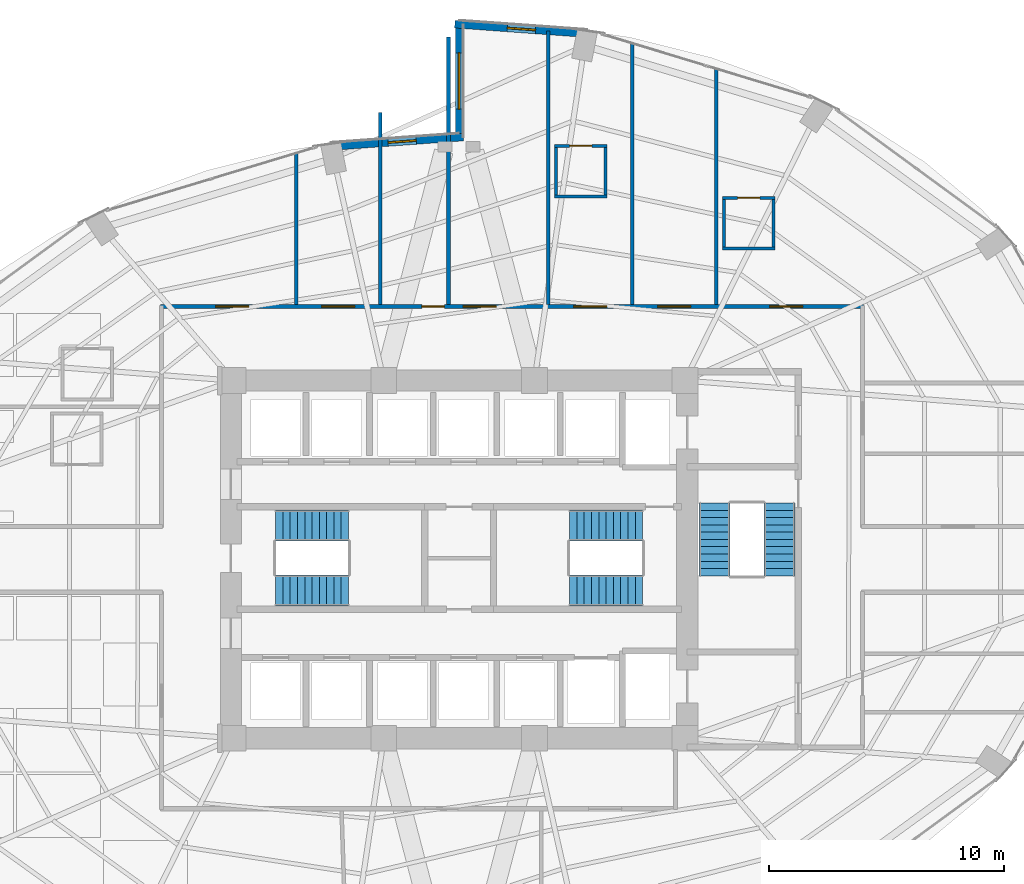
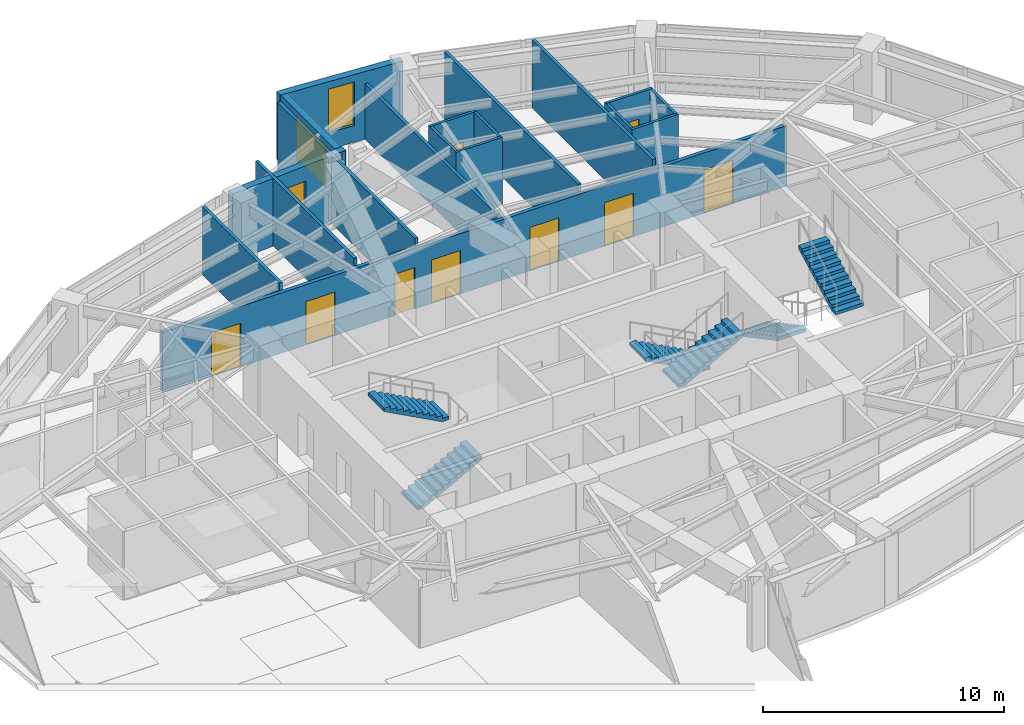
# One storey, part 22 of 24: 18 walls, 9 doors, 6 stair flights, 3 windows, 12 openings, 3 elements without a shape of their own.
"""IFC4 building model written with IfcOpenShell, lengths in metres."""

from ifc_helpers import new_model, si_unit, direction, frame, frame_2d, origin, place, context, subcontext, project, spatial, polyline, rectangle, outline, extrude, material, layer, layer_set, type_object, element, fill, aggregate, save


model = new_model("IFC4")

# Units and contexts
model_context = context("Model", 3, precision=1e-05, world=origin(), true_north=direction((0.0, 1.0)))
body_context = subcontext(model_context, "Body", "Model", "MODEL_VIEW")
ifc_project = project(units=[si_unit("LENGTHUNIT", "METRE"), si_unit("AREAUNIT", "SQUARE_METRE"), si_unit("VOLUMEUNIT", "CUBIC_METRE"), si_unit("PLANEANGLEUNIT", "RADIAN"), si_unit("MASSUNIT", "GRAM", prefix="KILO")], contexts=[model_context])

# Site, building, storey
site_placement = place(None, origin())
site = spatial("IfcSite", under=ifc_project, at=site_placement, CompositionType="ELEMENT")
building_placement = place(site_placement, origin())
building = spatial("IfcBuilding", under=site, at=building_placement, Name="Lazwardi Medical Tower", CompositionType="ELEMENT")
storey_placement = place(building_placement, frame((0.0, 0.0, 54.384033203125)))
storey = spatial("IfcBuildingStorey", under=building, at=storey_placement, Name="L13", CompositionType="ELEMENT", Elevation=54.384033203125)

# Wall, openings, doors
ifc_material_1 = material(Name="Fire-rated gypsum board on steel stud", Category="steel")
ifc_layer_1 = layer(ifc_material_1, 0.179931640625)
ifc_layer_set_1 = layer_set([ifc_layer_1], Name="Fire-rated gypsum board on steel stud")
wall_type_1 = type_object("IfcWallType", Name="WL-COR-180", PredefinedType="PARTITIONING", material=ifc_layer_set_1)
wall_1_placement = place(storey_placement, frame((23.31005859375, 38.75, 0.0), z_axis=(0.0, 0.0, 1.0), x_axis=(1.0, 0.0, 0.0)))
wall_1 = element("IfcWall", 1, at=wall_1_placement, inside=storey, type_object=wall_type_1, Name="L13 Corridor partition 4", PredefinedType="PARTITIONING", context=body_context, shape_type="SweptSolid", body=[
    extrude(rectangle(XDim=29.8798828125, YDim=0.179931640625, at=frame_2d((14.93994140625, 0.0))), origin(), (0.0, 0.0, 1.0), 3.052978515625),
])
opening_1_placement = place(wall_1_placement, frame((25.89111328125, 0.0, 0.0)))
opening_1 = element("IfcOpeningElement", 2, at=opening_1_placement, cuts=wall_1, Name="Opening D-L13-017", PredefinedType="OPENING", context=body_context, shape_type="SweptSolid", body=[
    extrude(rectangle(XDim=1.39990234375, YDim=2.199951171875, at=frame_2d((0.699951171875, 1.10009765625))), frame((0.0, 0.099853515625, 0.0), z_axis=(0.0, -1.0, 0.0), x_axis=(1.0, 0.0, 0.0)), (0.0, 0.0, 1.0), 0.199951171875),
])
opening_2_placement = place(wall_1_placement, frame((21.135009765625, 0.0, 0.0)))
opening_2 = element("IfcOpeningElement", 3, at=opening_2_placement, cuts=wall_1, Name="Opening D-L13-018", PredefinedType="OPENING", context=body_context, shape_type="SweptSolid", body=[
    extrude(rectangle(XDim=1.39990234375, YDim=2.199951171875, at=frame_2d((0.699951171875, 1.10009765625))), frame((0.0, 0.099853515625, 0.0), z_axis=(0.0, -1.0, 0.0), x_axis=(1.0, 0.0, 0.0)), (0.0, 0.0, 1.0), 0.199951171875),
])
opening_3_placement = place(wall_1_placement, frame((17.56494140625, 0.0, 0.0)))
opening_3 = element("IfcOpeningElement", 4, at=opening_3_placement, cuts=wall_1, Name="Opening D-L13-019", PredefinedType="OPENING", context=body_context, shape_type="SweptSolid", body=[
    extrude(rectangle(XDim=1.39990234375, YDim=2.199951171875, at=frame_2d((0.699951171875, 1.10009765625))), frame((0.0, 0.099853515625, 0.0), z_axis=(0.0, -1.0, 0.0), x_axis=(1.0, 0.0, 0.0)), (0.0, 0.0, 1.0), 0.199951171875),
])
opening_4_placement = place(wall_1_placement, frame((12.860107421875, 0.0, 0.0)))
opening_4 = element("IfcOpeningElement", 5, at=opening_4_placement, cuts=wall_1, Name="Opening D-L13-020", PredefinedType="OPENING", context=body_context, shape_type="SweptSolid", body=[
    extrude(rectangle(XDim=1.39990234375, YDim=2.199951171875, at=frame_2d((0.699951171875, 1.10009765625))), frame((0.0, 0.099853515625, 0.0), z_axis=(0.0, -1.0, 0.0), x_axis=(1.0, 0.0, 0.0)), (0.0, 0.0, 1.0), 0.199951171875),
])
opening_5_placement = place(wall_1_placement, frame((11.110107421875, 0.0, 0.0)))
opening_5 = element("IfcOpeningElement", 6, at=opening_5_placement, cuts=wall_1, Name="Opening D-L13-021", PredefinedType="OPENING", context=body_context, shape_type="SweptSolid", body=[
    extrude(rectangle(XDim=0.949951171875, YDim=2.10009765625, at=frame_2d((0.47509765625, 1.050048828125))), frame((0.0, 0.099853515625, 0.0), z_axis=(0.0, -1.0, 0.0), x_axis=(1.0, 0.0, 0.0)), (0.0, 0.0, 1.0), 0.199951171875),
])
opening_6_placement = place(wall_1_placement, frame((6.844970703125, 0.0, 0.0)))
opening_6 = element("IfcOpeningElement", 7, at=opening_6_placement, cuts=wall_1, Name="Opening D-L13-022", PredefinedType="OPENING", context=body_context, shape_type="SweptSolid", body=[
    extrude(rectangle(XDim=1.39990234375, YDim=2.199951171875, at=frame_2d((0.699951171875, 1.10009765625))), frame((0.0, 0.099853515625, 0.0), z_axis=(0.0, -1.0, 0.0), x_axis=(1.0, 0.0, 0.0)), (0.0, 0.0, 1.0), 0.199951171875),
])
opening_7_placement = place(wall_1_placement, frame((2.339111328125, 0.0, 0.0)))
opening_7 = element("IfcOpeningElement", 8, at=opening_7_placement, cuts=wall_1, Name="Opening D-L13-023", PredefinedType="OPENING", context=body_context, shape_type="SweptSolid", body=[
    extrude(rectangle(XDim=1.39990234375, YDim=2.199951171875, at=frame_2d((0.699951171875, 1.10009765625))), frame((0.0, 0.099853515625, 0.0), z_axis=(0.0, -1.0, 0.0), x_axis=(1.0, 0.0, 0.0)), (0.0, 0.0, 1.0), 0.199951171875),
])
ifc_material_2 = material(Name="Anti-microbial laminate hospital leaf")
door_type_1 = type_object("IfcDoorType", Name="DR-BED-1400", OperationType="NOTDEFINED", PredefinedType="DOOR", material=ifc_material_2)
door_1_placement = place(opening_1_placement, origin())
door_1 = element("IfcDoor", 9, at=door_1_placement, inside=storey, type_object=door_type_1, Name="L13 Inpatient Ward Door 07", OperationType="SINGLE_SWING_RIGHT", OverallHeight=2.199951171875, OverallWidth=1.39990234375, PredefinedType="DOOR", context=body_context, shape_type="SweptSolid", body=[
    extrude(rectangle(XDim=1.39990234375, YDim=2.199951171875, at=frame_2d((0.699951171875, 1.10009765625))), frame((0.0, 0.02490234375, 0.0), z_axis=(0.0, -1.0, 0.0), x_axis=(1.0, 0.0, 0.0)), (0.0, 0.0, 1.0), 0.050048828125),
])
fill(opening_1, door_1)
door_2_placement = place(opening_2_placement, origin())
door_2 = element("IfcDoor", 10, at=door_2_placement, inside=storey, type_object=door_type_1, Name="L13 Inpatient Ward Door 08", OperationType="SINGLE_SWING_LEFT", OverallHeight=2.199951171875, OverallWidth=1.39990234375, PredefinedType="DOOR", context=body_context, shape_type="SweptSolid", body=[
    extrude(rectangle(XDim=1.39990234375, YDim=2.199951171875, at=frame_2d((0.699951171875, 1.10009765625))), frame((0.0, 0.02490234375, 0.0), z_axis=(0.0, -1.0, 0.0), x_axis=(1.0, 0.0, 0.0)), (0.0, 0.0, 1.0), 0.050048828125),
])
fill(opening_2, door_2)
door_3_placement = place(opening_3_placement, origin())
door_3 = element("IfcDoor", 11, at=door_3_placement, inside=storey, type_object=door_type_1, Name="L13 Inpatient Ward Door 09", OperationType="SINGLE_SWING_LEFT", OverallHeight=2.199951171875, OverallWidth=1.39990234375, PredefinedType="DOOR", context=body_context, shape_type="SweptSolid", body=[
    extrude(rectangle(XDim=1.39990234375, YDim=2.199951171875, at=frame_2d((0.699951171875, 1.10009765625))), frame((0.0, 0.02490234375, 0.0), z_axis=(0.0, -1.0, 0.0), x_axis=(1.0, 0.0, 0.0)), (0.0, 0.0, 1.0), 0.050048828125),
])
fill(opening_3, door_3)
door_4_placement = place(opening_4_placement, origin())
door_4 = element("IfcDoor", 12, at=door_4_placement, inside=storey, type_object=door_type_1, Name="L13 Inpatient Ward Door 10", OperationType="SINGLE_SWING_RIGHT", OverallHeight=2.199951171875, OverallWidth=1.39990234375, PredefinedType="DOOR", context=body_context, shape_type="SweptSolid", body=[
    extrude(rectangle(XDim=1.39990234375, YDim=2.199951171875, at=frame_2d((0.699951171875, 1.10009765625))), frame((0.0, 0.02490234375, 0.0), z_axis=(0.0, -1.0, 0.0), x_axis=(1.0, 0.0, 0.0)), (0.0, 0.0, 1.0), 0.050048828125),
])
fill(opening_4, door_4)
door_5_placement = place(opening_6_placement, origin())
door_5 = element("IfcDoor", 13, at=door_5_placement, inside=storey, type_object=door_type_1, Name="L13 Inpatient Ward Door 12", OperationType="SINGLE_SWING_RIGHT", OverallHeight=2.199951171875, OverallWidth=1.39990234375, PredefinedType="DOOR", context=body_context, shape_type="SweptSolid", body=[
    extrude(rectangle(XDim=1.39990234375, YDim=2.199951171875, at=frame_2d((0.699951171875, 1.10009765625))), frame((0.0, 0.02490234375, 0.0), z_axis=(0.0, -1.0, 0.0), x_axis=(1.0, 0.0, 0.0)), (0.0, 0.0, 1.0), 0.050048828125),
])
fill(opening_6, door_5)
door_6_placement = place(opening_7_placement, origin())
door_6 = element("IfcDoor", 14, at=door_6_placement, inside=storey, type_object=door_type_1, Name="L13 Inpatient Ward Door 13", OperationType="SINGLE_SWING_RIGHT", OverallHeight=2.199951171875, OverallWidth=1.39990234375, PredefinedType="DOOR", context=body_context, shape_type="SweptSolid", body=[
    extrude(rectangle(XDim=1.39990234375, YDim=2.199951171875, at=frame_2d((0.699951171875, 1.10009765625))), frame((0.0, 0.02490234375, 0.0), z_axis=(0.0, -1.0, 0.0), x_axis=(1.0, 0.0, 0.0)), (0.0, 0.0, 1.0), 0.050048828125),
])
fill(opening_7, door_6)
ifc_material_3 = material(Name="Moisture-resistant laminate door leaf")
door_type_2 = type_object("IfcDoorType", Name="DR-ENS-950", OperationType="NOTDEFINED", PredefinedType="DOOR", material=ifc_material_3)
door_7_placement = place(opening_5_placement, origin())
door_7 = element("IfcDoor", 15, at=door_7_placement, inside=storey, type_object=door_type_2, Name="L13 Inpatient Ward Door 11", OperationType="SINGLE_SWING_LEFT", OverallHeight=2.10009765625, OverallWidth=0.949951171875, PredefinedType="DOOR", context=body_context, shape_type="SweptSolid", body=[
    extrude(rectangle(XDim=0.949951171875, YDim=2.10009765625, at=frame_2d((0.47509765625, 1.050048828125))), frame((0.0, 0.02490234375, 0.0), z_axis=(0.0, -1.0, 0.0), x_axis=(1.0, 0.0, 0.0)), (0.0, 0.0, 1.0), 0.050048828125),
])
fill(opening_5, door_7)

# Wall, opening, door
ifc_material_4 = material(Name="Moisture-resistant gypsum board partition")
ifc_layer_2 = layer(ifc_material_4, 0.125)
ifc_layer_set_2 = layer_set([ifc_layer_2], Name="Moisture-resistant gypsum board partition")
wall_type_2 = type_object("IfcWallType", Name="WL-ENS-125", PredefinedType="PARTITIONING", material=ifc_layer_set_2)
wall_2_placement = place(storey_placement, frame((47.205078125, 43.369140625, 0.0), z_axis=(0.0, 0.0, 1.0), x_axis=(1.0, 0.0, 0.0)))
wall_2 = element("IfcWall", 16, at=wall_2_placement, inside=storey, type_object=wall_type_2, Name="L13 En-suite wall 7N", PredefinedType="PARTITIONING", context=body_context, shape_type="SweptSolid", body=[
    extrude(rectangle(XDim=2.219970703125, YDim=0.125, at=frame_2d((1.10986328125, 0.0))), origin(), (0.0, 0.0, 1.0), 3.427978515625),
])
opening_8_placement = place(wall_2_placement, frame((0.635009765625, 0.0, 0.0)))
opening_8 = element("IfcOpeningElement", 17, at=opening_8_placement, cuts=wall_2, Name="Opening D-L13-004", PredefinedType="OPENING", context=body_context, shape_type="SweptSolid", body=[
    extrude(rectangle(XDim=0.949951171875, YDim=2.10009765625, at=frame_2d((0.47509765625, 1.050048828125))), frame((0.0, 0.072509765625, 0.0), z_axis=(0.0, -1.0, 0.0), x_axis=(1.0, 0.0, 0.0)), (0.0, 0.0, 1.0), 0.14501953125),
])
door_8_placement = place(opening_8_placement, origin())
door_8 = element("IfcDoor", 18, at=door_8_placement, inside=storey, type_object=door_type_2, Name="L13 En-suite Door 07", OperationType="SINGLE_SWING_LEFT", OverallHeight=2.10009765625, OverallWidth=0.949951171875, PredefinedType="DOOR", context=body_context, shape_type="SweptSolid", body=[
    extrude(rectangle(XDim=0.949951171875, YDim=2.10009765625, at=frame_2d((0.47509765625, 1.050048828125))), frame((0.0, 0.02490234375, 0.0), z_axis=(0.0, -1.0, 0.0), x_axis=(1.0, 0.0, 0.0)), (0.0, 0.0, 1.0), 0.050048828125),
])
fill(opening_8, door_8)

# Walls
wall_3_placement = place(storey_placement, frame((47.205078125, 41.208984375, 0.0), z_axis=(0.0, 0.0, 1.0), x_axis=(1.0, 0.0, 0.0)))
element("IfcWall", 19, at=wall_3_placement, inside=storey, type_object=wall_type_2, Name="L13 En-suite wall 7S", PredefinedType="PARTITIONING", context=body_context, shape_type="SweptSolid", body=[
    extrude(rectangle(XDim=2.219970703125, YDim=0.125, at=frame_2d((1.10986328125, 0.0))), origin(), (0.0, 0.0, 1.0), 3.427978515625),
])
for number, where, z_axis, x_axis, name in (
    (20, (49.364990234375, 41.149169921875, 0.0), (0.0, 0.0, 1.0), (0.0, 1.0, 0.0), "L13 En-suite wall 7E"),
    (21, (47.264892578125, 41.149169921875, 0.0), (0.0, 0.0, 1.0), (0.0, 1.0, 0.0), "L13 En-suite wall 7W"),
):
    element("IfcWall", number, at=place(storey_placement, frame(where, z_axis=z_axis, x_axis=x_axis)), inside=storey, type_object=wall_type_2, Name=name, PredefinedType="PARTITIONING", context=body_context, shape_type="SweptSolid", body=[
        extrude(rectangle(XDim=2.280029296875, YDim=0.125, at=frame_2d((1.14013671875, 0.0))), origin(), (0.0, 0.0, 1.0), 3.427978515625),
    ])

# Wall, opening, door
wall_4_placement = place(storey_placement, frame((40.06494140625, 45.5810546875, 0.0), z_axis=(0.0, 0.0, 1.0), x_axis=(1.0, 0.0, 0.0)))
wall_4 = element("IfcWall", 22, at=wall_4_placement, inside=storey, type_object=wall_type_2, Name="L13 En-suite wall 9N", PredefinedType="PARTITIONING", context=body_context, shape_type="SweptSolid", body=[
    extrude(rectangle(XDim=2.219970703125, YDim=0.125, at=frame_2d((1.10986328125, 0.0))), origin(), (0.0, 0.0, 1.0), 3.427978515625),
])
opening_9_placement = place(wall_4_placement, frame((0.635009765625, 0.0, 0.0)))
opening_9 = element("IfcOpeningElement", 23, at=opening_9_placement, cuts=wall_4, Name="Opening D-L13-005", PredefinedType="OPENING", context=body_context, shape_type="SweptSolid", body=[
    extrude(rectangle(XDim=0.949951171875, YDim=2.10009765625, at=frame_2d((0.47509765625, 1.050048828125))), frame((0.0, 0.072509765625, 0.0), z_axis=(0.0, -1.0, 0.0), x_axis=(1.0, 0.0, 0.0)), (0.0, 0.0, 1.0), 0.14501953125),
])
door_9_placement = place(opening_9_placement, origin())
door_9 = element("IfcDoor", 24, at=door_9_placement, inside=storey, type_object=door_type_2, Name="L13 En-suite Door 09", OperationType="SINGLE_SWING_RIGHT", OverallHeight=2.10009765625, OverallWidth=0.949951171875, PredefinedType="DOOR", context=body_context, shape_type="SweptSolid", body=[
    extrude(rectangle(XDim=0.949951171875, YDim=2.10009765625, at=frame_2d((0.47509765625, 1.050048828125))), frame((0.0, 0.02490234375, 0.0), z_axis=(0.0, -1.0, 0.0), x_axis=(1.0, 0.0, 0.0)), (0.0, 0.0, 1.0), 0.050048828125),
])
fill(opening_9, door_9)

# Walls
wall_5_placement = place(storey_placement, frame((40.06494140625, 43.4208984375, 0.0), z_axis=(0.0, 0.0, 1.0), x_axis=(1.0, 0.0, 0.0)))
element("IfcWall", 25, at=wall_5_placement, inside=storey, type_object=wall_type_2, Name="L13 En-suite wall 9S", PredefinedType="PARTITIONING", context=body_context, shape_type="SweptSolid", body=[
    extrude(rectangle(XDim=2.219970703125, YDim=0.125, at=frame_2d((1.10986328125, 0.0))), origin(), (0.0, 0.0, 1.0), 3.427978515625),
])
for number, where, z_axis, x_axis, name in (
    (26, (42.22509765625, 43.361083984375, 0.0), (0.0, 0.0, 1.0), (0.0, 1.0, 0.0), "L13 En-suite wall 9E"),
    (27, (40.125, 43.361083984375, 0.0), (0.0, 0.0, 1.0), (0.0, 1.0, 0.0), "L13 En-suite wall 9W"),
):
    element("IfcWall", number, at=place(storey_placement, frame(where, z_axis=z_axis, x_axis=x_axis)), inside=storey, type_object=wall_type_2, Name=name, PredefinedType="PARTITIONING", context=body_context, shape_type="SweptSolid", body=[
        extrude(rectangle(XDim=2.280029296875, YDim=0.125, at=frame_2d((1.14013671875, 0.0))), origin(), (0.0, 0.0, 1.0), 3.427978515625),
    ])

# Wall, opening, window
ifc_material_5 = material(Name="Precast concrete C45/55", Category="concrete")
ifc_layer_3 = layer(ifc_material_5, 0.320068359375)
ifc_layer_set_3 = layer_set([ifc_layer_3], Name="Precast concrete C45/55")
wall_type_3 = type_object("IfcWallType", Name="WL-IWAN-320", PredefinedType="SOLIDWALL", material=ifc_layer_set_3)
wall_6_placement = place(storey_placement, frame((41.481201171875, 50.345703125, 0.0), z_axis=(0.0, 0.0, 1.0), x_axis=(-0.997422321809, 0.071754525696, 0.0)))
wall_6 = element("IfcWall", 28, at=wall_6_placement, inside=storey, type_object=wall_type_3, Name="L13 Iwan Portal Return Wall NE_ret", PredefinedType="SOLIDWALL", context=body_context, shape_type="SweptSolid", body=[
    extrude(rectangle(XDim=5.67529296875, YDim=0.320068359375, at=frame_2d((2.837646484375, 0.0))), origin(), (0.0, 0.0, 1.0), 3.427978515625),
])
opening_10_placement = place(wall_6_placement, frame((2.23779296875, 0.0, 0.85009765625)))
opening_10 = element("IfcOpeningElement", 29, at=opening_10_placement, cuts=wall_6, Name="Opening WN-01", PredefinedType="OPENING", context=body_context, shape_type="SweptSolid", body=[
    extrude(rectangle(XDim=1.199951171875, YDim=2.199951171875, at=frame_2d((0.60009765625, 1.10009765625))), frame((0.0, 0.169921875, 0.0), z_axis=(0.0, -1.0, 0.0), x_axis=(1.0, 0.0, 0.0)), (0.0, 0.0, 1.0), 0.340087890625),
])
ifc_material_6 = material(Name="Low-e bronze solar control double glazing", Category="glass")
window_type_1 = type_object("IfcWindowType", Name="WIN-IW-1200", PartitioningType="SINGLE_PANEL", PredefinedType="WINDOW", material=ifc_material_6)
window_1_placement = place(opening_10_placement, origin())
window_1 = element("IfcWindow", 30, at=window_1_placement, inside=storey, type_object=window_type_1, Name="L13 Iwan Slot Window NE_ret", OverallHeight=2.199951171875, OverallWidth=1.199951171875, PartitioningType="SINGLE_PANEL", PredefinedType="WINDOW", context=body_context, shape_type="SweptSolid", body=[
    extrude(rectangle(XDim=1.199951171875, YDim=2.199951171875, at=frame_2d((0.60009765625, 1.10009765625))), frame((0.0, 0.030029296875, 0.0), z_axis=(0.0, -1.0, 0.0), x_axis=(1.0, 0.0, 0.0)), (0.0, 0.0, 1.0), 0.06005859375),
])
fill(opening_10, window_1)

wall_7_placement = place(storey_placement, frame((36.178955078125, 45.952880859375, 0.0), z_axis=(0.0, 0.0, 1.0), x_axis=(-0.997421878774, -0.071760683825, 0.0)))
wall_7 = element("IfcWall", 31, at=wall_7_placement, inside=storey, type_object=wall_type_3, Name="L13 Iwan Portal Return Wall NW_ret", PredefinedType="SOLIDWALL", context=body_context, shape_type="SweptSolid", body=[
    extrude(rectangle(XDim=5.6748046875, YDim=0.320068359375, at=frame_2d((2.83740234375, 0.0))), origin(), (0.0, 0.0, 1.0), 3.427978515625),
])
opening_11_placement = place(wall_7_placement, frame((2.007080078125, 0.0, 0.85009765625)))
opening_11 = element("IfcOpeningElement", 32, at=opening_11_placement, cuts=wall_7, Name="Opening WN-04", PredefinedType="OPENING", context=body_context, shape_type="SweptSolid", body=[
    extrude(rectangle(XDim=1.199951171875, YDim=1.800048828125, at=frame_2d((0.60009765625, 0.89990234375))), frame((0.0, 0.169921875, 0.0), z_axis=(0.0, -1.0, 0.0), x_axis=(1.0, 0.0, 0.0)), (0.0, 0.0, 1.0), 0.340087890625),
])
window_type_2 = type_object("IfcWindowType", Name="WIN-DRUM-1200", PartitioningType="SINGLE_PANEL", PredefinedType="WINDOW", material=ifc_material_6)
window_2_placement = place(opening_11_placement, origin())
window_2 = element("IfcWindow", 33, at=window_2_placement, inside=storey, type_object=window_type_2, Name="L13 Iwan Slot Window NW_ret", OverallHeight=1.800048828125, OverallWidth=1.199951171875, PartitioningType="SINGLE_PANEL", PredefinedType="WINDOW", context=body_context, shape_type="SweptSolid", body=[
    extrude(rectangle(XDim=1.199951171875, YDim=1.800048828125, at=frame_2d((0.60009765625, 0.89990234375))), frame((0.0, 0.030029296875, 0.0), z_axis=(0.0, -1.0, 0.0), x_axis=(1.0, 0.0, 0.0)), (0.0, 0.0, 1.0), 0.06005859375),
])
fill(opening_11, window_2)

wall_8_placement = place(storey_placement, frame((36.0, 50.89990234375, 0.0), z_axis=(0.0, 0.0, 1.0), x_axis=(0.0, -1.0, 0.0)))
wall_8 = element("IfcWall", 34, at=wall_8_placement, inside=storey, type_object=wall_type_3, Name="L13 Turquoise Tilework Iwan Seam Wall N_seam", PredefinedType="SOLIDWALL", context=body_context, shape_type="SweptSolid", body=[
    extrude(rectangle(XDim=5.119873046875, YDim=0.320068359375, at=frame_2d((2.56005859375, 0.0))), origin(), (0.0, 0.0, 1.0), 3.427978515625),
])
opening_12_placement = place(wall_8_placement, frame((1.360107421875, 0.0, 0.840087890625)))
opening_12 = element("IfcOpeningElement", 35, at=opening_12_placement, cuts=wall_8, Name="Opening WN-02", PredefinedType="OPENING", context=body_context, shape_type="SweptSolid", body=[
    extrude(rectangle(XDim=2.39990234375, YDim=2.0400390625, at=frame_2d((1.199951171875, 1.02001953125))), frame((0.0, 0.169921875, 0.0), z_axis=(0.0, -1.0, 0.0), x_axis=(1.0, 0.0, 0.0)), (0.0, 0.0, 1.0), 0.340087890625),
])
window_type_3 = type_object("IfcWindowType", Name="WIN-IW-2400", PartitioningType="SINGLE_PANEL", PredefinedType="WINDOW", material=ifc_material_6)
window_3_placement = place(opening_12_placement, origin())
window_3 = element("IfcWindow", 36, at=window_3_placement, inside=storey, type_object=window_type_3, Name="L13 Iwan Seam Window N_seam", OverallHeight=2.0400390625, OverallWidth=2.39990234375, PartitioningType="SINGLE_PANEL", PredefinedType="WINDOW", context=body_context, shape_type="SweptSolid", body=[
    extrude(rectangle(XDim=2.39990234375, YDim=2.0400390625, at=frame_2d((1.199951171875, 1.02001953125))), frame((0.0, 0.030029296875, 0.0), z_axis=(0.0, -1.0, 0.0), x_axis=(1.0, 0.0, 0.0)), (0.0, 0.0, 1.0), 0.06005859375),
])
fill(opening_12, window_3)

# Walls
ifc_material_7 = material(Name="Acoustic gypsum board partition")
ifc_layer_4 = layer(ifc_material_7, 0.14990234375)
ifc_layer_set_4 = layer_set([ifc_layer_4], Name="Acoustic gypsum board partition")
wall_type_4 = type_object("IfcWallType", Name="WL-WRD-150", PredefinedType="PARTITIONING", material=ifc_layer_set_4)
wall_9_placement = place(storey_placement, frame((29.070068359375, 38.840087890625, 0.0), z_axis=(0.0, 0.0, 1.0), x_axis=(0.0, 1.0, 0.0)))
element("IfcWall", 37, at=wall_9_placement, inside=storey, type_object=wall_type_4, Name="L13 Room partition 6", PredefinedType="PARTITIONING", context=body_context, shape_type="SweptSolid", body=[
    extrude(rectangle(XDim=6.414306640625, YDim=0.14990234375, at=frame_2d((3.20703125, 0.0))), origin(), (0.0, 0.0, 1.0), 3.427978515625),
])
wall_10_placement = place(storey_placement, frame((32.639892578125, 38.840087890625, 0.0), z_axis=(0.0, 0.0, 1.0), x_axis=(0.0, 1.0, 0.0)))
element("IfcWall", 38, at=wall_10_placement, inside=storey, type_object=wall_type_4, Name="L13 Room partition 7", PredefinedType="PARTITIONING", context=body_context, shape_type="SweptSolid", body=[
    extrude(rectangle(XDim=8.15087890625, YDim=0.14990234375, at=frame_2d((4.075439453125, 0.0))), origin(), (0.0, 0.0, 1.0), 3.427978515625),
])
wall_11_placement = place(storey_placement, frame((35.550048828125, 38.840087890625, 0.0), z_axis=(0.0, 0.0, 1.0), x_axis=(0.0, 1.0, 0.0)))
element("IfcWall", 39, at=wall_11_placement, inside=storey, type_object=wall_type_4, Name="L13 Room partition 8", PredefinedType="PARTITIONING", context=body_context, shape_type="SweptSolid", body=[
    extrude(rectangle(XDim=11.367431640625, YDim=0.14990234375, at=frame_2d((5.68359375, 0.0))), origin(), (0.0, 0.0, 1.0), 3.427978515625),
])
wall_12_placement = place(storey_placement, frame((39.7900390625, 38.840087890625, 0.0), z_axis=(0.0, 0.0, 1.0), x_axis=(0.0, 1.0, 0.0)))
element("IfcWall", 40, at=wall_12_placement, inside=storey, type_object=wall_type_4, Name="L13 Room partition 9", PredefinedType="PARTITIONING", context=body_context, shape_type="SweptSolid", body=[
    extrude(rectangle(XDim=11.634765625, YDim=0.14990234375, at=frame_2d((5.8173828125, 0.0))), origin(), (0.0, 0.0, 1.0), 2.81298828125),
])
wall_13_placement = place(storey_placement, frame((43.360107421875, 38.840087890625, 0.0), z_axis=(0.0, 0.0, 1.0), x_axis=(0.0, 1.0, 0.0)))
element("IfcWall", 41, at=wall_13_placement, inside=storey, type_object=wall_type_4, Name="L13 Room partition 10", PredefinedType="PARTITIONING", context=body_context, shape_type="SweptSolid", body=[
    extrude(rectangle(XDim=11.084228515625, YDim=0.14990234375, at=frame_2d((5.5419921875, 0.0))), origin(), (0.0, 0.0, 1.0), 3.427978515625),
])
wall_14_placement = place(storey_placement, frame((46.929931640625, 38.840087890625, 0.0), z_axis=(0.0, 0.0, 1.0), x_axis=(0.0, 1.0, 0.0)))
element("IfcWall", 42, at=wall_14_placement, inside=storey, type_object=wall_type_4, Name="L13 Room partition 11", PredefinedType="PARTITIONING", context=body_context, shape_type="SweptSolid", body=[
    extrude(rectangle(XDim=10.0029296875, YDim=0.14990234375, at=frame_2d((5.00146484375, 0.0))), origin(), (0.0, 0.0, 1.0), 3.427978515625),
])

# Stair, stair flights
ifc_material_8 = material(Name="Concrete C45/55", Category="concrete")
stair_type = type_object("IfcStairType", Name="STR-WRD", PredefinedType="HALF_TURN_STAIR", material=ifc_material_8)
stair_1_placement = place(storey_placement, origin())
stair_1 = element("IfcStair", 43, at=stair_1_placement, inside=storey, type_object=stair_type, Name="L13 Protected Exit Stair ST1", PredefinedType="HALF_TURN_STAIR")
stair_flight_type = type_object("IfcStairFlightType", Name="FLT-WRD", PredefinedType="STRAIGHT", material=ifc_material_8)
stair_flight_1_placement = place(storey_placement, frame((28.199951171875, 26.679931640625, 0.0), z_axis=(0.0, 0.0, 1.0), x_axis=(1.0, 0.0, 0.0)))
stair_flight_1 = element("IfcStairFlight", 44, at=stair_flight_1_placement, type_object=stair_flight_type, Name="ST1 flight 1", NumberOfRisers=11, NumberOfTreads=10, PredefinedType="STRAIGHT", RiserHeight=0.165818182, TreadLength=0.31, context=body_context, shape_type="SweptSolid", body=[
    extrude(outline(polyline([(0.0, 0.0), (0.0, 0.165771484375), (0.31005859375, 0.165771484375), (0.31005859375, 0.33154296875), (0.6201171875, 0.33154296875), (0.6201171875, 0.49755859375), (0.929931640625, 0.49755859375), (0.929931640625, 0.663330078125), (1.239990234375, 0.663330078125), (1.239990234375, 0.8291015625), (1.550048828125, 0.8291015625), (1.550048828125, 0.994873046875), (1.860107421875, 0.994873046875), (1.860107421875, 1.16064453125), (2.169921875, 1.16064453125), (2.169921875, 1.32666015625), (2.47998046875, 1.32666015625), (2.47998046875, 1.492431640625), (2.7900390625, 1.492431640625), (2.7900390625, 1.658203125), (3.10009765625, 1.658203125), (3.10009765625, 1.823974609375), (3.10009765625, 1.48828125), (0.31787109375, 0.0), (0.0, 0.0)])), frame((0.0, 0.66015625, 0.0), z_axis=(0.0, -1.0, 0.0), x_axis=(1.0, 0.0, 0.0)), (0.0, 0.0, 1.0), 1.320068359375),
])
stair_flight_2_placement = place(storey_placement, frame((31.300048828125, 29.43994140625, 1.823974609375), z_axis=(0.0, 0.0, 1.0), x_axis=(-1.0, 0.0, 0.0)))
stair_flight_2 = element("IfcStairFlight", 45, at=stair_flight_2_placement, type_object=stair_flight_type, Name="ST1 flight 2", NumberOfRisers=11, NumberOfTreads=10, PredefinedType="STRAIGHT", RiserHeight=0.165818182, TreadLength=0.31, context=body_context, shape_type="SweptSolid", body=[
    extrude(outline(polyline([(0.0, 0.0), (0.0, 0.165771484375), (0.31005859375, 0.165771484375), (0.31005859375, 0.33154296875), (0.6201171875, 0.33154296875), (0.6201171875, 0.49755859375), (0.929931640625, 0.49755859375), (0.929931640625, 0.663330078125), (1.239990234375, 0.663330078125), (1.239990234375, 0.8291015625), (1.550048828125, 0.8291015625), (1.550048828125, 0.994873046875), (1.860107421875, 0.994873046875), (1.860107421875, 1.16064453125), (2.169921875, 1.16064453125), (2.169921875, 1.32666015625), (2.47998046875, 1.32666015625), (2.47998046875, 1.492431640625), (2.7900390625, 1.492431640625), (2.7900390625, 1.658203125), (3.10009765625, 1.658203125), (3.10009765625, 1.823974609375), (3.10009765625, 1.48828125), (0.31787109375, 0.0), (0.0, 0.0)])), frame((0.0, 0.66015625, 0.0), z_axis=(0.0, -1.0, 0.0), x_axis=(1.0, 0.0, 0.0)), (0.0, 0.0, 1.0), 1.320068359375),
])
aggregate(stair_1, [stair_flight_1, stair_flight_2])

stair_2_placement = place(storey_placement, origin())
stair_2 = element("IfcStair", 46, at=stair_2_placement, inside=storey, type_object=stair_type, Name="L13 Protected Exit Stair ST2", PredefinedType="HALF_TURN_STAIR")
stair_flight_3_placement = place(storey_placement, frame((43.800048828125, 29.43994140625, 0.0), z_axis=(0.0, 0.0, 1.0), x_axis=(-1.0, 0.0, 0.0)))
stair_flight_3 = element("IfcStairFlight", 47, at=stair_flight_3_placement, type_object=stair_flight_type, Name="ST2 flight 1", NumberOfRisers=11, NumberOfTreads=10, PredefinedType="STRAIGHT", RiserHeight=0.165818182, TreadLength=0.31, context=body_context, shape_type="SweptSolid", body=[
    extrude(outline(polyline([(0.0, 0.0), (0.0, 0.165771484375), (0.31005859375, 0.165771484375), (0.31005859375, 0.33154296875), (0.6201171875, 0.33154296875), (0.6201171875, 0.49755859375), (0.929931640625, 0.49755859375), (0.929931640625, 0.663330078125), (1.239990234375, 0.663330078125), (1.239990234375, 0.8291015625), (1.550048828125, 0.8291015625), (1.550048828125, 0.994873046875), (1.860107421875, 0.994873046875), (1.860107421875, 1.16064453125), (2.169921875, 1.16064453125), (2.169921875, 1.32666015625), (2.47998046875, 1.32666015625), (2.47998046875, 1.492431640625), (2.7900390625, 1.492431640625), (2.7900390625, 1.658203125), (3.10009765625, 1.658203125), (3.10009765625, 1.823974609375), (3.10009765625, 1.48828125), (0.31787109375, 0.0), (0.0, 0.0)])), frame((0.0, 0.66015625, 0.0), z_axis=(0.0, -1.0, 0.0), x_axis=(1.0, 0.0, 0.0)), (0.0, 0.0, 1.0), 1.320068359375),
])
stair_flight_4_placement = place(storey_placement, frame((40.699951171875, 26.679931640625, 1.823974609375), z_axis=(0.0, 0.0, 1.0), x_axis=(1.0, 0.0, 0.0)))
stair_flight_4 = element("IfcStairFlight", 48, at=stair_flight_4_placement, type_object=stair_flight_type, Name="ST2 flight 2", NumberOfRisers=11, NumberOfTreads=10, PredefinedType="STRAIGHT", RiserHeight=0.165818182, TreadLength=0.31, context=body_context, shape_type="SweptSolid", body=[
    extrude(outline(polyline([(0.0, 0.0), (0.0, 0.165771484375), (0.31005859375, 0.165771484375), (0.31005859375, 0.33154296875), (0.6201171875, 0.33154296875), (0.6201171875, 0.49755859375), (0.929931640625, 0.49755859375), (0.929931640625, 0.663330078125), (1.239990234375, 0.663330078125), (1.239990234375, 0.8291015625), (1.550048828125, 0.8291015625), (1.550048828125, 0.994873046875), (1.860107421875, 0.994873046875), (1.860107421875, 1.16064453125), (2.169921875, 1.16064453125), (2.169921875, 1.32666015625), (2.47998046875, 1.32666015625), (2.47998046875, 1.492431640625), (2.7900390625, 1.492431640625), (2.7900390625, 1.658203125), (3.10009765625, 1.658203125), (3.10009765625, 1.823974609375), (3.10009765625, 1.48828125), (0.31787109375, 0.0), (0.0, 0.0)])), frame((0.0, 0.66015625, 0.0), z_axis=(0.0, -1.0, 0.0), x_axis=(1.0, 0.0, 0.0)), (0.0, 0.0, 1.0), 1.320068359375),
])
aggregate(stair_2, [stair_flight_3, stair_flight_4])

stair_3_placement = place(storey_placement, origin())
stair_3 = element("IfcStair", 49, at=stair_3_placement, inside=storey, type_object=stair_type, Name="L13 Protected Exit Stair ST3", PredefinedType="HALF_TURN_STAIR")
stair_flight_5_placement = place(storey_placement, frame((46.860107421875, 30.39990234375, 0.0), z_axis=(0.0, 0.0, 1.0), x_axis=(0.0, -1.0, 0.0)))
stair_flight_5 = element("IfcStairFlight", 50, at=stair_flight_5_placement, type_object=stair_flight_type, Name="ST3 flight 1", NumberOfRisers=11, NumberOfTreads=10, PredefinedType="STRAIGHT", RiserHeight=0.165818182, TreadLength=0.31, context=body_context, shape_type="SweptSolid", body=[
    extrude(outline(polyline([(0.0, 0.0), (0.0, 0.165771484375), (0.31005859375, 0.165771484375), (0.31005859375, 0.33154296875), (0.6201171875, 0.33154296875), (0.6201171875, 0.49755859375), (0.929931640625, 0.49755859375), (0.929931640625, 0.663330078125), (1.239990234375, 0.663330078125), (1.239990234375, 0.8291015625), (1.550048828125, 0.8291015625), (1.550048828125, 0.994873046875), (1.860107421875, 0.994873046875), (1.860107421875, 1.16064453125), (2.169921875, 1.16064453125), (2.169921875, 1.32666015625), (2.47998046875, 1.32666015625), (2.47998046875, 1.492431640625), (2.7900390625, 1.492431640625), (2.7900390625, 1.658203125), (3.10009765625, 1.658203125), (3.10009765625, 1.823974609375), (3.10009765625, 1.48828125), (0.31787109375, 0.0), (0.0, 0.0)])), frame((0.0, 0.66015625, 0.0), z_axis=(0.0, -1.0, 0.0), x_axis=(1.0, 0.0, 0.0)), (0.0, 0.0, 1.0), 1.320068359375),
])
stair_flight_6_placement = place(storey_placement, frame((49.6201171875, 27.300048828125, 1.823974609375), z_axis=(0.0, 0.0, 1.0), x_axis=(0.0, 1.0, 0.0)))
stair_flight_6 = element("IfcStairFlight", 51, at=stair_flight_6_placement, type_object=stair_flight_type, Name="ST3 flight 2", NumberOfRisers=11, NumberOfTreads=10, PredefinedType="STRAIGHT", RiserHeight=0.165818182, TreadLength=0.31, context=body_context, shape_type="SweptSolid", body=[
    extrude(outline(polyline([(0.0, 0.0), (0.0, 0.165771484375), (0.31005859375, 0.165771484375), (0.31005859375, 0.33154296875), (0.6201171875, 0.33154296875), (0.6201171875, 0.49755859375), (0.929931640625, 0.49755859375), (0.929931640625, 0.663330078125), (1.239990234375, 0.663330078125), (1.239990234375, 0.8291015625), (1.550048828125, 0.8291015625), (1.550048828125, 0.994873046875), (1.860107421875, 0.994873046875), (1.860107421875, 1.16064453125), (2.169921875, 1.16064453125), (2.169921875, 1.32666015625), (2.47998046875, 1.32666015625), (2.47998046875, 1.492431640625), (2.7900390625, 1.492431640625), (2.7900390625, 1.658203125), (3.10009765625, 1.658203125), (3.10009765625, 1.823974609375), (3.10009765625, 1.48828125), (0.31787109375, 0.0), (0.0, 0.0)])), frame((0.0, 0.66015625, 0.0), z_axis=(0.0, -1.0, 0.0), x_axis=(1.0, 0.0, 0.0)), (0.0, 0.0, 1.0), 1.320068359375),
])
aggregate(stair_3, [stair_flight_5, stair_flight_6])

save(model, "model.ifc")
